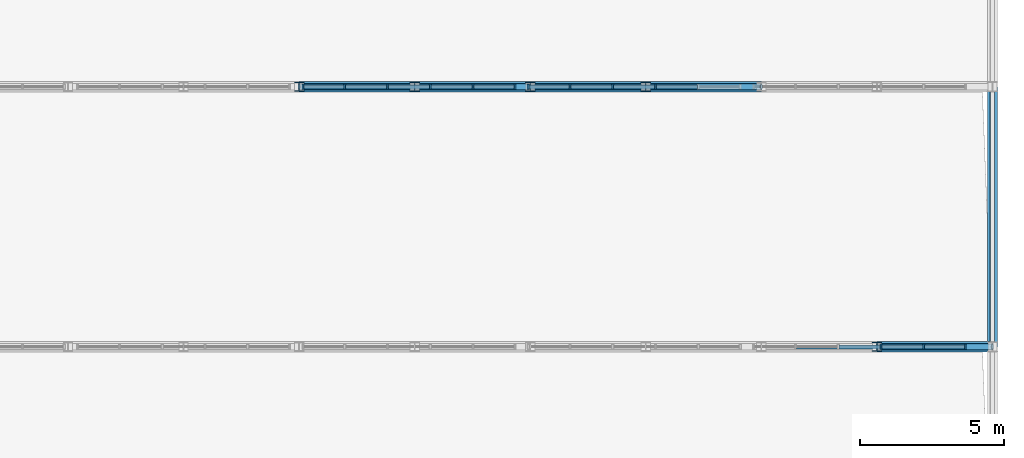
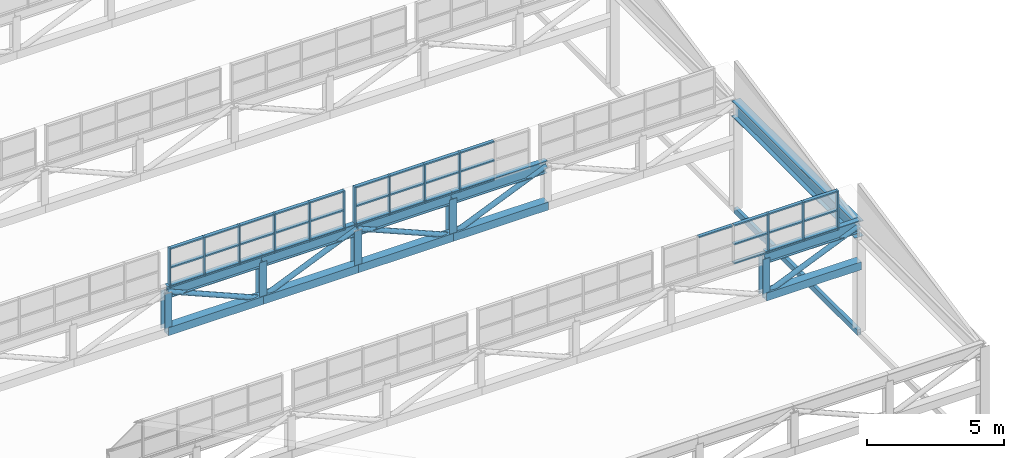
# One storey, part 87 of 159: 70 members, 2 beams, 3 elements without a shape of their own.
"""IFC4 building model written with IfcOpenShell, lengths in metres."""

from ifc_helpers import new_model, si_unit, direction, frame, origin, origin_2d, place, context, subcontext, project, spatial, rectangle, hollow_rectangle, hollow_circle, i_section, extrude, material, layer, layer_set, material_profile, profile_set, type_object, element, aggregate, save


model = new_model("IFC4")

# Units and contexts
model_context = context("Model", 3, precision=1e-05, world=origin(), true_north=direction((0.0, 1.0)))
body_context = subcontext(model_context, "Body", "Model", "MODEL_VIEW")
ifc_project = project(units=[si_unit("LENGTHUNIT", "METRE"), si_unit("AREAUNIT", "SQUARE_METRE"), si_unit("VOLUMEUNIT", "CUBIC_METRE"), si_unit("PLANEANGLEUNIT", "RADIAN"), si_unit("MASSUNIT", "GRAM", prefix="KILO")], contexts=[model_context])

# Site, building, storey
site_placement = place(None, origin())
site = spatial("IfcSite", under=ifc_project, at=site_placement, CompositionType="ELEMENT")
building_placement = place(site_placement, origin())
building = spatial("IfcBuilding", under=site, at=building_placement, Name="Cazmaro Siding Exhibition Halls", CompositionType="ELEMENT")
storey_placement = place(building_placement, frame((0.0, 0.0, 6.0)))
storey = spatial("IfcBuildingStorey", under=building, at=storey_placement, Name="L01", CompositionType="ELEMENT", Elevation=6.0)

# Curtain wall, members
ifc_material_1 = material(Name="Anodized Bronze Aluminum and Solar-Control Low-E Glazing", Category="aluminium")
ifc_layer = layer(ifc_material_1, 0.159912109375)
ifc_layer_set = layer_set([ifc_layer], Name="Anodized Bronze Aluminum and Solar-Control Low-E Glazing")
curtain_wall_type = type_object("IfcCurtainWallType", Name="CWS-04", PredefinedType="USERDEFINED", material=ifc_layer_set)
curtain_wall_1_placement = place(storey_placement, origin())
curtain_wall_1 = element("IfcCurtainWall", 1, at=curtain_wall_1_placement, inside=storey, type_object=curtain_wall_type, Name="Clerestory Curtain Wall CWS-04 CW-114", ObjectType="CLERESTORY CURTAIN WALL", PredefinedType="USERDEFINED")
ifc_material_2 = material(Name="Anodized Bronze Extruded Aluminum", Category="aluminium")
ifc_material_profile_1 = material_profile(ifc_material_2, rectangle(XDim=0.159912109375, YDim=0.06005859375, at=origin_2d()), Name="CWM-04")
ifc_profile_set_1 = profile_set([ifc_material_profile_1], Name="Anodized Bronze Extruded Aluminum")
member_type_1 = type_object("IfcMemberType", Name="CWM-04", PredefinedType="MULLION", material=ifc_profile_set_1)
member_1_placement = place(storey_placement, frame((215.070068359375, 73.0, 4.800048828125), z_axis=(0.0, 0.0, 1.0), x_axis=(0.0, -1.0, 0.0)))
member_1 = element("IfcMember", 2, at=member_1_placement, type_object=member_type_1, Name="CWS-04 mullion 1", PredefinedType="MULLION", context=body_context, shape_type="SweptSolid", body=[
    extrude(rectangle(XDim=0.159912109375, YDim=0.06005859375, at=origin_2d()), origin(), (0.0, 0.0, 1.0), 1.75),
])
member_2_placement = place(storey_placement, frame((213.6201171875, 73.0, 4.800048828125), z_axis=(0.0, 0.0, 1.0), x_axis=(0.0, -1.0, 0.0)))
member_2 = element("IfcMember", 3, at=member_2_placement, type_object=member_type_1, Name="CWS-04 mullion 2", PredefinedType="MULLION", context=body_context, shape_type="SweptSolid", body=[
    extrude(rectangle(XDim=0.159912109375, YDim=0.06005859375, at=origin_2d()), origin(), (0.0, 0.0, 1.0), 1.75),
])
member_3_placement = place(storey_placement, frame((212.139892578125, 73.0, 4.800048828125), z_axis=(0.0, 0.0, 1.0), x_axis=(0.0, -1.0, 0.0)))
member_3 = element("IfcMember", 4, at=member_3_placement, type_object=member_type_1, Name="CWS-04 mullion 3", PredefinedType="MULLION", context=body_context, shape_type="SweptSolid", body=[
    extrude(rectangle(XDim=0.159912109375, YDim=0.06005859375, at=origin_2d()), origin(), (0.0, 0.0, 1.0), 1.75),
])

curtain_wall_2_placement = place(storey_placement, origin())
curtain_wall_2 = element("IfcCurtainWall", 5, at=curtain_wall_2_placement, inside=storey, type_object=curtain_wall_type, Name="Clerestory Curtain Wall CWS-04 CW-117", ObjectType="CLERESTORY CURTAIN WALL", PredefinedType="USERDEFINED")
member_4_placement = place(storey_placement, frame((199.469970703125, 82.0, 4.800048828125), z_axis=(0.0, 0.0, 1.0), x_axis=(0.0, -1.0, 0.0)))
member_4 = element("IfcMember", 6, at=member_4_placement, type_object=member_type_1, Name="CWS-04 mullion 1", PredefinedType="MULLION", context=body_context, shape_type="SweptSolid", body=[
    extrude(rectangle(XDim=0.159912109375, YDim=0.06005859375, at=origin_2d()), origin(), (0.0, 0.0, 1.0), 1.75),
])
member_5_placement = place(storey_placement, frame((198.02001953125, 82.0, 4.800048828125), z_axis=(0.0, 0.0, 1.0), x_axis=(0.0, -1.0, 0.0)))
member_5 = element("IfcMember", 7, at=member_5_placement, type_object=member_type_1, Name="CWS-04 mullion 2", PredefinedType="MULLION", context=body_context, shape_type="SweptSolid", body=[
    extrude(rectangle(XDim=0.159912109375, YDim=0.06005859375, at=origin_2d()), origin(), (0.0, 0.0, 1.0), 1.75),
])
member_6_placement = place(storey_placement, frame((196.5400390625, 82.0, 4.800048828125), z_axis=(0.0, 0.0, 1.0), x_axis=(0.0, -1.0, 0.0)))
member_6 = element("IfcMember", 8, at=member_6_placement, type_object=member_type_1, Name="CWS-04 mullion 3", PredefinedType="MULLION", context=body_context, shape_type="SweptSolid", body=[
    extrude(rectangle(XDim=0.159912109375, YDim=0.06005859375, at=origin_2d()), origin(), (0.0, 0.0, 1.0), 1.75),
])
member_7_placement = place(storey_placement, frame((195.06005859375, 82.0, 4.800048828125), z_axis=(0.0, 0.0, 1.0), x_axis=(0.0, -1.0, 0.0)))
member_7 = element("IfcMember", 9, at=member_7_placement, type_object=member_type_1, Name="CWS-04 mullion 4", PredefinedType="MULLION", context=body_context, shape_type="SweptSolid", body=[
    extrude(rectangle(XDim=0.159912109375, YDim=0.06005859375, at=origin_2d()), origin(), (0.0, 0.0, 1.0), 1.75),
])
member_8_placement = place(storey_placement, frame((193.580078125, 82.0, 4.800048828125), z_axis=(0.0, 0.0, 1.0), x_axis=(0.0, -1.0, 0.0)))
member_8 = element("IfcMember", 10, at=member_8_placement, type_object=member_type_1, Name="CWS-04 mullion 5", PredefinedType="MULLION", context=body_context, shape_type="SweptSolid", body=[
    extrude(rectangle(XDim=0.159912109375, YDim=0.06005859375, at=origin_2d()), origin(), (0.0, 0.0, 1.0), 1.75),
])
member_9_placement = place(storey_placement, frame((192.1298828125, 82.0, 4.800048828125), z_axis=(0.0, 0.0, 1.0), x_axis=(0.0, -1.0, 0.0)))
member_9 = element("IfcMember", 11, at=member_9_placement, type_object=member_type_1, Name="CWS-04 mullion 6", PredefinedType="MULLION", context=body_context, shape_type="SweptSolid", body=[
    extrude(rectangle(XDim=0.159912109375, YDim=0.06005859375, at=origin_2d()), origin(), (0.0, 0.0, 1.0), 1.75),
])

curtain_wall_3_placement = place(storey_placement, origin())
curtain_wall_3 = element("IfcCurtainWall", 12, at=curtain_wall_3_placement, inside=storey, type_object=curtain_wall_type, Name="Clerestory Curtain Wall CWS-04 CW-118", ObjectType="CLERESTORY CURTAIN WALL", PredefinedType="USERDEFINED")
member_10_placement = place(storey_placement, frame((204.340087890625, 82.0, 4.800048828125), z_axis=(0.0, 0.0, 1.0), x_axis=(0.0, -1.0, 0.0)))
member_10 = element("IfcMember", 13, at=member_10_placement, type_object=member_type_1, Name="CWS-04 mullion 3", PredefinedType="MULLION", context=body_context, shape_type="SweptSolid", body=[
    extrude(rectangle(XDim=0.159912109375, YDim=0.06005859375, at=origin_2d()), origin(), (0.0, 0.0, 1.0), 1.75),
])
member_11_placement = place(storey_placement, frame((202.860107421875, 82.0, 4.800048828125), z_axis=(0.0, 0.0, 1.0), x_axis=(0.0, -1.0, 0.0)))
member_11 = element("IfcMember", 14, at=member_11_placement, type_object=member_type_1, Name="CWS-04 mullion 4", PredefinedType="MULLION", context=body_context, shape_type="SweptSolid", body=[
    extrude(rectangle(XDim=0.159912109375, YDim=0.06005859375, at=origin_2d()), origin(), (0.0, 0.0, 1.0), 1.75),
])
member_12_placement = place(storey_placement, frame((201.3798828125, 82.0, 4.800048828125), z_axis=(0.0, 0.0, 1.0), x_axis=(0.0, -1.0, 0.0)))
member_12 = element("IfcMember", 15, at=member_12_placement, type_object=member_type_1, Name="CWS-04 mullion 5", PredefinedType="MULLION", context=body_context, shape_type="SweptSolid", body=[
    extrude(rectangle(XDim=0.159912109375, YDim=0.06005859375, at=origin_2d()), origin(), (0.0, 0.0, 1.0), 1.75),
])
member_13_placement = place(storey_placement, frame((199.929931640625, 82.0, 4.800048828125), z_axis=(0.0, 0.0, 1.0), x_axis=(0.0, -1.0, 0.0)))
member_13 = element("IfcMember", 16, at=member_13_placement, type_object=member_type_1, Name="CWS-04 mullion 6", PredefinedType="MULLION", context=body_context, shape_type="SweptSolid", body=[
    extrude(rectangle(XDim=0.159912109375, YDim=0.06005859375, at=origin_2d()), origin(), (0.0, 0.0, 1.0), 1.75),
])

# Member
ifc_material_3 = material(Name="Anodized Bronze Extruded Aluminum", Category="aluminium")
ifc_material_profile_2 = material_profile(ifc_material_3, rectangle(XDim=0.139892578125, YDim=0.06005859375, at=origin_2d()), Name="CWT-04")
ifc_profile_set_2 = profile_set([ifc_material_profile_2], Name="Anodized Bronze Extruded Aluminum")
member_type_2 = type_object("IfcMemberType", Name="CWT-04", PredefinedType="MULLION", material=ifc_profile_set_2)
member_14_placement = place(storey_placement, frame((215.0400390625, 73.0, 4.830078125), z_axis=(-1.0, 0.0, 0.0), x_axis=(0.0, -1.0, 0.0)))
member_14 = element("IfcMember", 17, at=member_14_placement, type_object=member_type_2, Name="CWS-04 transom 1.1", ObjectType="TRANSOM", PredefinedType="USERDEFINED", context=body_context, shape_type="SweptSolid", body=[
    extrude(rectangle(XDim=0.139892578125, YDim=0.06005859375, at=origin_2d()), origin(), (0.0, 0.0, 1.0), 1.39013671875),
])

member_15_placement = place(storey_placement, frame((215.0400390625, 73.0, 5.679931640625), z_axis=(-1.0, 0.0, 0.0), x_axis=(0.0, -1.0, 0.0)))
member_15 = element("IfcMember", 18, at=member_15_placement, type_object=member_type_2, Name="CWS-04 transom 1.2", ObjectType="TRANSOM", PredefinedType="USERDEFINED", context=body_context, shape_type="SweptSolid", body=[
    extrude(rectangle(XDim=0.139892578125, YDim=0.06005859375, at=origin_2d()), origin(), (0.0, 0.0, 1.0), 1.39013671875),
])

member_16_placement = place(storey_placement, frame((215.0400390625, 73.0, 6.52001953125), z_axis=(-1.0, 0.0, 0.0), x_axis=(0.0, -1.0, 0.0)))
member_16 = element("IfcMember", 19, at=member_16_placement, type_object=member_type_2, Name="CWS-04 transom 1.3", ObjectType="TRANSOM", PredefinedType="USERDEFINED", context=body_context, shape_type="SweptSolid", body=[
    extrude(rectangle(XDim=0.139892578125, YDim=0.06005859375, at=origin_2d()), origin(), (0.0, 0.0, 1.0), 1.39013671875),
])

member_17_placement = place(storey_placement, frame((213.590087890625, 73.0, 4.830078125), z_axis=(-1.0, 0.0, 0.0), x_axis=(0.0, -1.0, 0.0)))
member_17 = element("IfcMember", 20, at=member_17_placement, type_object=member_type_2, Name="CWS-04 transom 2.1", ObjectType="TRANSOM", PredefinedType="USERDEFINED", context=body_context, shape_type="SweptSolid", body=[
    extrude(rectangle(XDim=0.139892578125, YDim=0.06005859375, at=origin_2d()), origin(), (0.0, 0.0, 1.0), 1.420166015625),
])

member_18_placement = place(storey_placement, frame((213.590087890625, 73.0, 5.679931640625), z_axis=(-1.0, 0.0, 0.0), x_axis=(0.0, -1.0, 0.0)))
member_18 = element("IfcMember", 21, at=member_18_placement, type_object=member_type_2, Name="CWS-04 transom 2.2", ObjectType="TRANSOM", PredefinedType="USERDEFINED", context=body_context, shape_type="SweptSolid", body=[
    extrude(rectangle(XDim=0.139892578125, YDim=0.06005859375, at=origin_2d()), origin(), (0.0, 0.0, 1.0), 1.420166015625),
])

member_19_placement = place(storey_placement, frame((213.590087890625, 73.0, 6.52001953125), z_axis=(-1.0, 0.0, 0.0), x_axis=(0.0, -1.0, 0.0)))
member_19 = element("IfcMember", 22, at=member_19_placement, type_object=member_type_2, Name="CWS-04 transom 2.3", ObjectType="TRANSOM", PredefinedType="USERDEFINED", context=body_context, shape_type="SweptSolid", body=[
    extrude(rectangle(XDim=0.139892578125, YDim=0.06005859375, at=origin_2d()), origin(), (0.0, 0.0, 1.0), 1.420166015625),
])

member_20_placement = place(storey_placement, frame((212.110107421875, 73.0, 4.830078125), z_axis=(-1.0, 0.0, 0.0), x_axis=(0.0, -1.0, 0.0)))
member_20 = element("IfcMember", 23, at=member_20_placement, type_object=member_type_2, Name="CWS-04 transom 3.1", ObjectType="TRANSOM", PredefinedType="USERDEFINED", context=body_context, shape_type="SweptSolid", body=[
    extrude(rectangle(XDim=0.139892578125, YDim=0.06005859375, at=origin_2d()), origin(), (0.0, 0.0, 1.0), 1.420166015625),
])

member_21_placement = place(storey_placement, frame((212.110107421875, 73.0, 5.679931640625), z_axis=(-1.0, 0.0, 0.0), x_axis=(0.0, -1.0, 0.0)))
member_21 = element("IfcMember", 24, at=member_21_placement, type_object=member_type_2, Name="CWS-04 transom 3.2", ObjectType="TRANSOM", PredefinedType="USERDEFINED", context=body_context, shape_type="SweptSolid", body=[
    extrude(rectangle(XDim=0.139892578125, YDim=0.06005859375, at=origin_2d()), origin(), (0.0, 0.0, 1.0), 1.420166015625),
])

member_22_placement = place(storey_placement, frame((212.110107421875, 73.0, 6.52001953125), z_axis=(-1.0, 0.0, 0.0), x_axis=(0.0, -1.0, 0.0)))
member_22 = element("IfcMember", 25, at=member_22_placement, type_object=member_type_2, Name="CWS-04 transom 3.3", ObjectType="TRANSOM", PredefinedType="USERDEFINED", context=body_context, shape_type="SweptSolid", body=[
    extrude(rectangle(XDim=0.139892578125, YDim=0.06005859375, at=origin_2d()), origin(), (0.0, 0.0, 1.0), 1.420166015625),
])

member_23_placement = place(storey_placement, frame((210.6298828125, 73.0, 6.52001953125), z_axis=(-1.0, 0.0, 0.0), x_axis=(0.0, -1.0, 0.0)))
member_23 = element("IfcMember", 26, at=member_23_placement, type_object=member_type_2, Name="CWS-04 transom 4.3", ObjectType="TRANSOM", PredefinedType="USERDEFINED", context=body_context, shape_type="SweptSolid", body=[
    extrude(rectangle(XDim=0.139892578125, YDim=0.06005859375, at=origin_2d()), origin(), (0.0, 0.0, 1.0), 1.419921875),
])

aggregate(curtain_wall_1, [member_1, member_2, member_3, member_14, member_15, member_16, member_17, member_18, member_19, member_20, member_21, member_22, member_23])

member_24_placement = place(storey_placement, frame((199.43994140625, 82.0, 4.830078125), z_axis=(-1.0, 0.0, 0.0), x_axis=(0.0, -1.0, 0.0)))
member_24 = element("IfcMember", 27, at=member_24_placement, type_object=member_type_2, Name="CWS-04 transom 1.1", ObjectType="TRANSOM", PredefinedType="USERDEFINED", context=body_context, shape_type="SweptSolid", body=[
    extrude(rectangle(XDim=0.139892578125, YDim=0.06005859375, at=origin_2d()), origin(), (0.0, 0.0, 1.0), 1.389892578125),
])

member_25_placement = place(storey_placement, frame((199.43994140625, 82.0, 5.679931640625), z_axis=(-1.0, 0.0, 0.0), x_axis=(0.0, -1.0, 0.0)))
member_25 = element("IfcMember", 28, at=member_25_placement, type_object=member_type_2, Name="CWS-04 transom 1.2", ObjectType="TRANSOM", PredefinedType="USERDEFINED", context=body_context, shape_type="SweptSolid", body=[
    extrude(rectangle(XDim=0.139892578125, YDim=0.06005859375, at=origin_2d()), origin(), (0.0, 0.0, 1.0), 1.389892578125),
])

member_26_placement = place(storey_placement, frame((199.43994140625, 82.0, 6.52001953125), z_axis=(-1.0, 0.0, 0.0), x_axis=(0.0, -1.0, 0.0)))
member_26 = element("IfcMember", 29, at=member_26_placement, type_object=member_type_2, Name="CWS-04 transom 1.3", ObjectType="TRANSOM", PredefinedType="USERDEFINED", context=body_context, shape_type="SweptSolid", body=[
    extrude(rectangle(XDim=0.139892578125, YDim=0.06005859375, at=origin_2d()), origin(), (0.0, 0.0, 1.0), 1.389892578125),
])

member_27_placement = place(storey_placement, frame((197.989990234375, 82.0, 4.830078125), z_axis=(-1.0, 0.0, 0.0), x_axis=(0.0, -1.0, 0.0)))
member_27 = element("IfcMember", 30, at=member_27_placement, type_object=member_type_2, Name="CWS-04 transom 2.1", ObjectType="TRANSOM", PredefinedType="USERDEFINED", context=body_context, shape_type="SweptSolid", body=[
    extrude(rectangle(XDim=0.139892578125, YDim=0.06005859375, at=origin_2d()), origin(), (0.0, 0.0, 1.0), 1.419921875),
])

member_28_placement = place(storey_placement, frame((197.989990234375, 82.0, 5.679931640625), z_axis=(-1.0, 0.0, 0.0), x_axis=(0.0, -1.0, 0.0)))
member_28 = element("IfcMember", 31, at=member_28_placement, type_object=member_type_2, Name="CWS-04 transom 2.2", ObjectType="TRANSOM", PredefinedType="USERDEFINED", context=body_context, shape_type="SweptSolid", body=[
    extrude(rectangle(XDim=0.139892578125, YDim=0.06005859375, at=origin_2d()), origin(), (0.0, 0.0, 1.0), 1.419921875),
])

member_29_placement = place(storey_placement, frame((197.989990234375, 82.0, 6.52001953125), z_axis=(-1.0, 0.0, 0.0), x_axis=(0.0, -1.0, 0.0)))
member_29 = element("IfcMember", 32, at=member_29_placement, type_object=member_type_2, Name="CWS-04 transom 2.3", ObjectType="TRANSOM", PredefinedType="USERDEFINED", context=body_context, shape_type="SweptSolid", body=[
    extrude(rectangle(XDim=0.139892578125, YDim=0.06005859375, at=origin_2d()), origin(), (0.0, 0.0, 1.0), 1.419921875),
])

member_30_placement = place(storey_placement, frame((196.510009765625, 82.0, 4.830078125), z_axis=(-1.0, 0.0, 0.0), x_axis=(0.0, -1.0, 0.0)))
member_30 = element("IfcMember", 33, at=member_30_placement, type_object=member_type_2, Name="CWS-04 transom 3.1", ObjectType="TRANSOM", PredefinedType="USERDEFINED", context=body_context, shape_type="SweptSolid", body=[
    extrude(rectangle(XDim=0.139892578125, YDim=0.06005859375, at=origin_2d()), origin(), (0.0, 0.0, 1.0), 1.419921875),
])

member_31_placement = place(storey_placement, frame((196.510009765625, 82.0, 5.679931640625), z_axis=(-1.0, 0.0, 0.0), x_axis=(0.0, -1.0, 0.0)))
member_31 = element("IfcMember", 34, at=member_31_placement, type_object=member_type_2, Name="CWS-04 transom 3.2", ObjectType="TRANSOM", PredefinedType="USERDEFINED", context=body_context, shape_type="SweptSolid", body=[
    extrude(rectangle(XDim=0.139892578125, YDim=0.06005859375, at=origin_2d()), origin(), (0.0, 0.0, 1.0), 1.419921875),
])

member_32_placement = place(storey_placement, frame((196.510009765625, 82.0, 6.52001953125), z_axis=(-1.0, 0.0, 0.0), x_axis=(0.0, -1.0, 0.0)))
member_32 = element("IfcMember", 35, at=member_32_placement, type_object=member_type_2, Name="CWS-04 transom 3.3", ObjectType="TRANSOM", PredefinedType="USERDEFINED", context=body_context, shape_type="SweptSolid", body=[
    extrude(rectangle(XDim=0.139892578125, YDim=0.06005859375, at=origin_2d()), origin(), (0.0, 0.0, 1.0), 1.419921875),
])

member_33_placement = place(storey_placement, frame((195.030029296875, 82.0, 4.830078125), z_axis=(-1.0, 0.0, 0.0), x_axis=(0.0, -1.0, 0.0)))
member_33 = element("IfcMember", 36, at=member_33_placement, type_object=member_type_2, Name="CWS-04 transom 4.1", ObjectType="TRANSOM", PredefinedType="USERDEFINED", context=body_context, shape_type="SweptSolid", body=[
    extrude(rectangle(XDim=0.139892578125, YDim=0.06005859375, at=origin_2d()), origin(), (0.0, 0.0, 1.0), 1.419921875),
])

member_34_placement = place(storey_placement, frame((195.030029296875, 82.0, 5.679931640625), z_axis=(-1.0, 0.0, 0.0), x_axis=(0.0, -1.0, 0.0)))
member_34 = element("IfcMember", 37, at=member_34_placement, type_object=member_type_2, Name="CWS-04 transom 4.2", ObjectType="TRANSOM", PredefinedType="USERDEFINED", context=body_context, shape_type="SweptSolid", body=[
    extrude(rectangle(XDim=0.139892578125, YDim=0.06005859375, at=origin_2d()), origin(), (0.0, 0.0, 1.0), 1.419921875),
])

member_35_placement = place(storey_placement, frame((195.030029296875, 82.0, 6.52001953125), z_axis=(-1.0, 0.0, 0.0), x_axis=(0.0, -1.0, 0.0)))
member_35 = element("IfcMember", 38, at=member_35_placement, type_object=member_type_2, Name="CWS-04 transom 4.3", ObjectType="TRANSOM", PredefinedType="USERDEFINED", context=body_context, shape_type="SweptSolid", body=[
    extrude(rectangle(XDim=0.139892578125, YDim=0.06005859375, at=origin_2d()), origin(), (0.0, 0.0, 1.0), 1.419921875),
])

member_36_placement = place(storey_placement, frame((193.550048828125, 82.0, 4.830078125), z_axis=(-1.0, 0.0, 0.0), x_axis=(0.0, -1.0, 0.0)))
member_36 = element("IfcMember", 39, at=member_36_placement, type_object=member_type_2, Name="CWS-04 transom 5.1", ObjectType="TRANSOM", PredefinedType="USERDEFINED", context=body_context, shape_type="SweptSolid", body=[
    extrude(rectangle(XDim=0.139892578125, YDim=0.06005859375, at=origin_2d()), origin(), (0.0, 0.0, 1.0), 1.39013671875),
])

member_37_placement = place(storey_placement, frame((193.550048828125, 82.0, 5.679931640625), z_axis=(-1.0, 0.0, 0.0), x_axis=(0.0, -1.0, 0.0)))
member_37 = element("IfcMember", 40, at=member_37_placement, type_object=member_type_2, Name="CWS-04 transom 5.2", ObjectType="TRANSOM", PredefinedType="USERDEFINED", context=body_context, shape_type="SweptSolid", body=[
    extrude(rectangle(XDim=0.139892578125, YDim=0.06005859375, at=origin_2d()), origin(), (0.0, 0.0, 1.0), 1.39013671875),
])

member_38_placement = place(storey_placement, frame((193.550048828125, 82.0, 6.52001953125), z_axis=(-1.0, 0.0, 0.0), x_axis=(0.0, -1.0, 0.0)))
member_38 = element("IfcMember", 41, at=member_38_placement, type_object=member_type_2, Name="CWS-04 transom 5.3", ObjectType="TRANSOM", PredefinedType="USERDEFINED", context=body_context, shape_type="SweptSolid", body=[
    extrude(rectangle(XDim=0.139892578125, YDim=0.06005859375, at=origin_2d()), origin(), (0.0, 0.0, 1.0), 1.39013671875),
])

aggregate(curtain_wall_2, [member_4, member_5, member_6, member_7, member_8, member_9, member_24, member_25, member_26, member_27, member_28, member_29, member_30, member_31, member_32, member_33, member_34, member_35, member_36, member_37, member_38])

member_39_placement = place(storey_placement, frame((205.7900390625, 82.0, 4.830078125), z_axis=(-1.0, 0.0, 0.0), x_axis=(0.0, -1.0, 0.0)))
member_39 = element("IfcMember", 42, at=member_39_placement, type_object=member_type_2, Name="CWS-04 transom 2.1", ObjectType="TRANSOM", PredefinedType="USERDEFINED", context=body_context, shape_type="SweptSolid", body=[
    extrude(rectangle(XDim=0.139892578125, YDim=0.06005859375, at=origin_2d()), origin(), (0.0, 0.0, 1.0), 1.419921875),
])

member_40_placement = place(storey_placement, frame((205.7900390625, 82.0, 5.679931640625), z_axis=(-1.0, 0.0, 0.0), x_axis=(0.0, -1.0, 0.0)))
member_40 = element("IfcMember", 43, at=member_40_placement, type_object=member_type_2, Name="CWS-04 transom 2.2", ObjectType="TRANSOM", PredefinedType="USERDEFINED", context=body_context, shape_type="SweptSolid", body=[
    extrude(rectangle(XDim=0.139892578125, YDim=0.06005859375, at=origin_2d()), origin(), (0.0, 0.0, 1.0), 1.419921875),
])

member_41_placement = place(storey_placement, frame((205.7900390625, 82.0, 6.52001953125), z_axis=(-1.0, 0.0, 0.0), x_axis=(0.0, -1.0, 0.0)))
member_41 = element("IfcMember", 44, at=member_41_placement, type_object=member_type_2, Name="CWS-04 transom 2.3", ObjectType="TRANSOM", PredefinedType="USERDEFINED", context=body_context, shape_type="SweptSolid", body=[
    extrude(rectangle(XDim=0.139892578125, YDim=0.06005859375, at=origin_2d()), origin(), (0.0, 0.0, 1.0), 1.419921875),
])

member_42_placement = place(storey_placement, frame((204.31005859375, 82.0, 4.830078125), z_axis=(-1.0, 0.0, 0.0), x_axis=(0.0, -1.0, 0.0)))
member_42 = element("IfcMember", 45, at=member_42_placement, type_object=member_type_2, Name="CWS-04 transom 3.1", ObjectType="TRANSOM", PredefinedType="USERDEFINED", context=body_context, shape_type="SweptSolid", body=[
    extrude(rectangle(XDim=0.139892578125, YDim=0.06005859375, at=origin_2d()), origin(), (0.0, 0.0, 1.0), 1.420166015625),
])

member_43_placement = place(storey_placement, frame((204.31005859375, 82.0, 5.679931640625), z_axis=(-1.0, 0.0, 0.0), x_axis=(0.0, -1.0, 0.0)))
member_43 = element("IfcMember", 46, at=member_43_placement, type_object=member_type_2, Name="CWS-04 transom 3.2", ObjectType="TRANSOM", PredefinedType="USERDEFINED", context=body_context, shape_type="SweptSolid", body=[
    extrude(rectangle(XDim=0.139892578125, YDim=0.06005859375, at=origin_2d()), origin(), (0.0, 0.0, 1.0), 1.420166015625),
])

member_44_placement = place(storey_placement, frame((204.31005859375, 82.0, 6.52001953125), z_axis=(-1.0, 0.0, 0.0), x_axis=(0.0, -1.0, 0.0)))
member_44 = element("IfcMember", 47, at=member_44_placement, type_object=member_type_2, Name="CWS-04 transom 3.3", ObjectType="TRANSOM", PredefinedType="USERDEFINED", context=body_context, shape_type="SweptSolid", body=[
    extrude(rectangle(XDim=0.139892578125, YDim=0.06005859375, at=origin_2d()), origin(), (0.0, 0.0, 1.0), 1.420166015625),
])

member_45_placement = place(storey_placement, frame((202.830078125, 82.0, 4.830078125), z_axis=(-1.0, 0.0, 0.0), x_axis=(0.0, -1.0, 0.0)))
member_45 = element("IfcMember", 48, at=member_45_placement, type_object=member_type_2, Name="CWS-04 transom 4.1", ObjectType="TRANSOM", PredefinedType="USERDEFINED", context=body_context, shape_type="SweptSolid", body=[
    extrude(rectangle(XDim=0.139892578125, YDim=0.06005859375, at=origin_2d()), origin(), (0.0, 0.0, 1.0), 1.420166015625),
])

member_46_placement = place(storey_placement, frame((202.830078125, 82.0, 5.679931640625), z_axis=(-1.0, 0.0, 0.0), x_axis=(0.0, -1.0, 0.0)))
member_46 = element("IfcMember", 49, at=member_46_placement, type_object=member_type_2, Name="CWS-04 transom 4.2", ObjectType="TRANSOM", PredefinedType="USERDEFINED", context=body_context, shape_type="SweptSolid", body=[
    extrude(rectangle(XDim=0.139892578125, YDim=0.06005859375, at=origin_2d()), origin(), (0.0, 0.0, 1.0), 1.420166015625),
])

member_47_placement = place(storey_placement, frame((202.830078125, 82.0, 6.52001953125), z_axis=(-1.0, 0.0, 0.0), x_axis=(0.0, -1.0, 0.0)))
member_47 = element("IfcMember", 50, at=member_47_placement, type_object=member_type_2, Name="CWS-04 transom 4.3", ObjectType="TRANSOM", PredefinedType="USERDEFINED", context=body_context, shape_type="SweptSolid", body=[
    extrude(rectangle(XDim=0.139892578125, YDim=0.06005859375, at=origin_2d()), origin(), (0.0, 0.0, 1.0), 1.420166015625),
])

member_48_placement = place(storey_placement, frame((201.35009765625, 82.0, 4.830078125), z_axis=(-1.0, 0.0, 0.0), x_axis=(0.0, -1.0, 0.0)))
member_48 = element("IfcMember", 51, at=member_48_placement, type_object=member_type_2, Name="CWS-04 transom 5.1", ObjectType="TRANSOM", PredefinedType="USERDEFINED", context=body_context, shape_type="SweptSolid", body=[
    extrude(rectangle(XDim=0.139892578125, YDim=0.06005859375, at=origin_2d()), origin(), (0.0, 0.0, 1.0), 1.39013671875),
])

member_49_placement = place(storey_placement, frame((201.35009765625, 82.0, 5.679931640625), z_axis=(-1.0, 0.0, 0.0), x_axis=(0.0, -1.0, 0.0)))
member_49 = element("IfcMember", 52, at=member_49_placement, type_object=member_type_2, Name="CWS-04 transom 5.2", ObjectType="TRANSOM", PredefinedType="USERDEFINED", context=body_context, shape_type="SweptSolid", body=[
    extrude(rectangle(XDim=0.139892578125, YDim=0.06005859375, at=origin_2d()), origin(), (0.0, 0.0, 1.0), 1.39013671875),
])

member_50_placement = place(storey_placement, frame((201.35009765625, 82.0, 6.52001953125), z_axis=(-1.0, 0.0, 0.0), x_axis=(0.0, -1.0, 0.0)))
member_50 = element("IfcMember", 53, at=member_50_placement, type_object=member_type_2, Name="CWS-04 transom 5.3", ObjectType="TRANSOM", PredefinedType="USERDEFINED", context=body_context, shape_type="SweptSolid", body=[
    extrude(rectangle(XDim=0.139892578125, YDim=0.06005859375, at=origin_2d()), origin(), (0.0, 0.0, 1.0), 1.39013671875),
])

aggregate(curtain_wall_3, [member_10, member_11, member_12, member_13, member_39, member_40, member_41, member_42, member_43, member_44, member_45, member_46, member_47, member_48, member_49, member_50])

# Beams
ifc_material_4 = material(Name="Steel ASTM A992 Grade 50", Category="steel")
ifc_material_profile_3 = material_profile(ifc_material_4, i_section(OverallWidth=0.35595703125, OverallDepth=0.696044921875, WebThickness=0.014892578125, FlangeThickness=0.02490234375, at=origin_2d()), Name="W27X146")
ifc_profile_set_3 = profile_set([ifc_material_profile_3], Name="Steel ASTM A992 Grade 50")
beam_type_1 = type_object("IfcBeamType", Name="G-05", PredefinedType="USERDEFINED", material=ifc_profile_set_3)
beam_1_placement = place(storey_placement, frame((216.0, 73.0, 4.451904296875), z_axis=(0.0, 1.0, 0.0), x_axis=(-1.0, 0.0, 0.0)))
element("IfcBeam", 54, at=beam_1_placement, inside=storey, type_object=beam_type_1, Name="Beam G-05 BM-1550", ObjectType="GIRDER", PredefinedType="USERDEFINED", context=body_context, shape_type="SweptSolid", body=[
    extrude(i_section(OverallWidth=0.35595703125, OverallDepth=0.696044921875, WebThickness=0.014892578125, FlangeThickness=0.02490234375, at=origin_2d()), origin(), (0.0, 0.0, 1.0), 9.0),
])
ifc_material_5 = material(Name="Steel ASTM A500 Grade C", Category="steel")
ifc_material_profile_4 = material_profile(ifc_material_5, hollow_rectangle(XDim=0.152099609375, YDim=0.25390625, WallThickness=0.011962890625, at=origin_2d()), Name="HSS10X6X1/2")
ifc_profile_set_4 = profile_set([ifc_material_profile_4], Name="Steel ASTM A500 Grade C")
beam_type_2 = type_object("IfcBeamType", Name="SP-02", PredefinedType="SPANDREL", material=ifc_profile_set_4)
beam_2_placement = place(storey_placement, frame((216.0, 73.0, -0.126953125), z_axis=(0.0, 1.0, 0.0), x_axis=(-1.0, 0.0, 0.0)))
element("IfcBeam", 55, at=beam_2_placement, inside=storey, type_object=beam_type_2, Name="Beam SP-02 BM-1549", PredefinedType="SPANDREL", context=body_context, shape_type="SweptSolid", body=[
    extrude(hollow_rectangle(XDim=0.152099609375, YDim=0.25390625, WallThickness=0.011962890625, at=origin_2d()), origin(), (0.0, 0.0, 1.0), 9.0),
])

# Members
ifc_material_6 = material(Name="Steel ASTM A992 Grade 50", Category="steel")
ifc_material_profile_5 = material_profile(ifc_material_6, i_section(OverallWidth=0.214111328125, OverallDepth=0.549072265625, WebThickness=0.014892578125, FlangeThickness=0.02392578125, at=origin_2d()), Name="W21X93")
ifc_profile_set_5 = profile_set([ifc_material_profile_5], Name="Steel ASTM A992 Grade 50")
member_type_3 = type_object("IfcMemberType", Name="TC-04", PredefinedType="CHORD", material=ifc_profile_set_5)
for number, where, z_axis, x_axis, name in (
    (56, (212.0, 73.0, 4.64990234375), (1.0, 0.0, 0.0), (0.0, 1.0, 0.0), "Sawtooth truss top chord TC-04 MEM-3037"),
    (57, (192.0, 82.0, 4.64990234375), (1.0, 0.0, 0.0), (0.0, 1.0, 0.0), "Sawtooth truss top chord TC-04 MEM-3061"),
    (58, (196.0, 82.0, 4.64990234375), (1.0, 0.0, 0.0), (0.0, 1.0, 0.0), "Sawtooth truss top chord TC-04 MEM-3064"),
    (59, (200.0, 82.0, 4.64990234375), (1.0, 0.0, 0.0), (0.0, 1.0, 0.0), "Sawtooth truss top chord TC-04 MEM-3067"),
    (60, (204.0, 82.0, 4.64990234375), (1.0, 0.0, 0.0), (0.0, 1.0, 0.0), "Sawtooth truss top chord TC-04 MEM-3070"),
):
    element("IfcMember", number, at=place(storey_placement, frame(where, z_axis=z_axis, x_axis=x_axis)), inside=storey, type_object=member_type_3, Name=name, PredefinedType="CHORD", context=body_context, shape_type="SweptSolid", body=[
        extrude(i_section(OverallWidth=0.214111328125, OverallDepth=0.549072265625, WebThickness=0.014892578125, FlangeThickness=0.02392578125, at=origin_2d()), origin(), (0.0, 0.0, 1.0), 4.0),
    ])
ifc_material_7 = material(Name="Steel ASTM A500 Grade C", Category="steel")
ifc_material_profile_6 = material_profile(ifc_material_7, hollow_rectangle(XDim=0.35595703125, YDim=0.35595703125, WallThickness=0.014892578125, at=origin_2d()), Name="HSS14X14X5/8")
ifc_profile_set_6 = profile_set([ifc_material_profile_6], Name="Steel ASTM A500 Grade C")
member_type_4 = type_object("IfcMemberType", Name="TC-05", PredefinedType="CHORD", material=ifc_profile_set_6)
for number, where, z_axis, x_axis, name in (
    (61, (212.0, 73.0, 2.949951171875), (1.0, 0.0, 0.0), (0.0, 1.0, 0.0), "Sawtooth truss bottom chord TC-05 MEM-3038"),
    (62, (192.0, 82.0, 2.949951171875), (1.0, 0.0, 0.0), (0.0, 1.0, 0.0), "Sawtooth truss bottom chord TC-05 MEM-3062"),
    (63, (196.0, 82.0, 2.949951171875), (1.0, 0.0, 0.0), (0.0, 1.0, 0.0), "Sawtooth truss bottom chord TC-05 MEM-3065"),
    (64, (200.0, 82.0, 2.949951171875), (1.0, 0.0, 0.0), (0.0, 1.0, 0.0), "Sawtooth truss bottom chord TC-05 MEM-3068"),
    (65, (204.0, 82.0, 2.949951171875), (1.0, 0.0, 0.0), (0.0, 1.0, 0.0), "Sawtooth truss bottom chord TC-05 MEM-3071"),
):
    element("IfcMember", number, at=place(storey_placement, frame(where, z_axis=z_axis, x_axis=x_axis)), inside=storey, type_object=member_type_4, Name=name, PredefinedType="CHORD", context=body_context, shape_type="SweptSolid", body=[
        extrude(hollow_rectangle(XDim=0.35595703125, YDim=0.35595703125, WallThickness=0.014892578125, at=origin_2d()), origin(), (0.0, 0.0, 1.0), 4.0),
    ])
ifc_material_8 = material(Name="Steel ASTM A992 Grade 50", Category="steel")
ifc_material_profile_7 = material_profile(ifc_material_8, i_section(OverallWidth=0.304931640625, OverallDepth=0.306884765625, WebThickness=0.010009765625, FlangeThickness=0.014892578125, at=origin_2d()), Name="W12X65")
ifc_profile_set_7 = profile_set([ifc_material_profile_7], Name="Steel ASTM A992 Grade 50")
member_type_5 = type_object("IfcMemberType", Name="TP-03", PredefinedType="POST", material=ifc_profile_set_7)
for number, where, z_axis, x_axis, name in (
    (66, (212.0, 73.0, 2.949951171875), (0.0, 0.0, 1.0), (1.0, 0.0, 0.0), "Sawtooth truss post TP-03 MEM-3048"),
    (67, (192.0, 82.0, 2.949951171875), (0.0, 0.0, 1.0), (1.0, 0.0, 0.0), "Sawtooth truss post TP-03 MEM-3082"),
    (68, (196.0, 82.0, 2.949951171875), (0.0, 0.0, 1.0), (1.0, 0.0, 0.0), "Sawtooth truss post TP-03 MEM-3083"),
    (69, (200.0, 82.0, 2.949951171875), (0.0, 0.0, 1.0), (1.0, 0.0, 0.0), "Sawtooth truss post TP-03 MEM-3084"),
    (70, (204.0, 82.0, 2.949951171875), (0.0, 0.0, 1.0), (1.0, 0.0, 0.0), "Sawtooth truss post TP-03 MEM-3085"),
):
    element("IfcMember", number, at=place(storey_placement, frame(where, z_axis=z_axis, x_axis=x_axis)), inside=storey, type_object=member_type_5, Name=name, PredefinedType="POST", context=body_context, shape_type="SweptSolid", body=[
        extrude(i_section(OverallWidth=0.304931640625, OverallDepth=0.306884765625, WebThickness=0.010009765625, FlangeThickness=0.014892578125, at=origin_2d()), origin(), (0.0, 0.0, 1.0), 1.699951171875),
    ])
ifc_material_9 = material(Name="Steel ASTM A500 Grade C", Category="steel")
ifc_material_profile_8 = material_profile(ifc_material_9, hollow_circle(Radius=0.109619140625, WallThickness=0.012939453125, at=origin_2d()), Name="PIPE8XS")
ifc_profile_set_8 = profile_set([ifc_material_profile_8], Name="Steel ASTM A500 Grade C")
member_type_6 = type_object("IfcMemberType", Name="WB-01", PredefinedType="BRACE", material=ifc_profile_set_8)
for number, where, z_axis, x_axis, name in (
    (71, (212.0, 73.0, 2.949951171875), (0.920334962612, 0.0, 0.391131124553), (0.0, 1.0, 0.0), "Sawtooth truss diagonal WB-01 MEM-3039"),
    (72, (192.0, 82.0, 4.64990234375), (0.920334962612, 0.0, -0.391131124553), (0.0, 1.0, 0.0), "Sawtooth truss diagonal WB-01 MEM-3063"),
    (73, (196.0, 82.0, 2.949951171875), (0.920334962612, 0.0, 0.391131124553), (0.0, 1.0, 0.0), "Sawtooth truss diagonal WB-01 MEM-3066"),
    (74, (200.0, 82.0, 4.64990234375), (0.920334962612, 0.0, -0.391131124553), (0.0, 1.0, 0.0), "Sawtooth truss diagonal WB-01 MEM-3069"),
    (75, (204.0, 82.0, 2.949951171875), (0.920334962612, 0.0, 0.391131124553), (0.0, 1.0, 0.0), "Sawtooth truss diagonal WB-01 MEM-3072"),
):
    element("IfcMember", number, at=place(storey_placement, frame(where, z_axis=z_axis, x_axis=x_axis)), inside=storey, type_object=member_type_6, Name=name, PredefinedType="BRACE", context=body_context, shape_type="SweptSolid", body=[
        extrude(hollow_circle(Radius=0.109619140625, WallThickness=0.012939453125, at=origin_2d()), origin(), (0.0, 0.0, 1.0), 4.34619140625),
    ])

save(model, "model.ifc")
